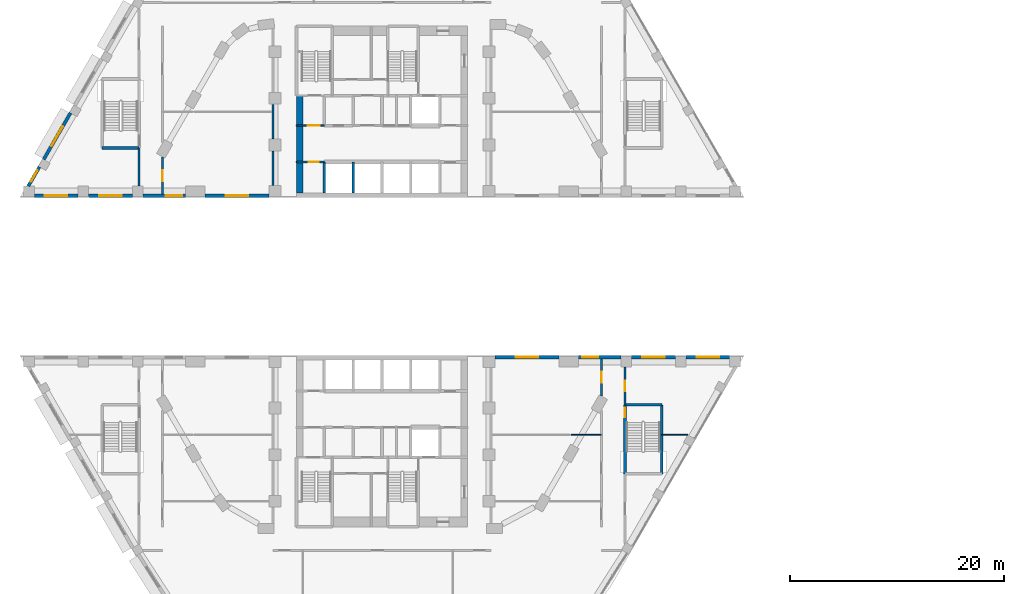
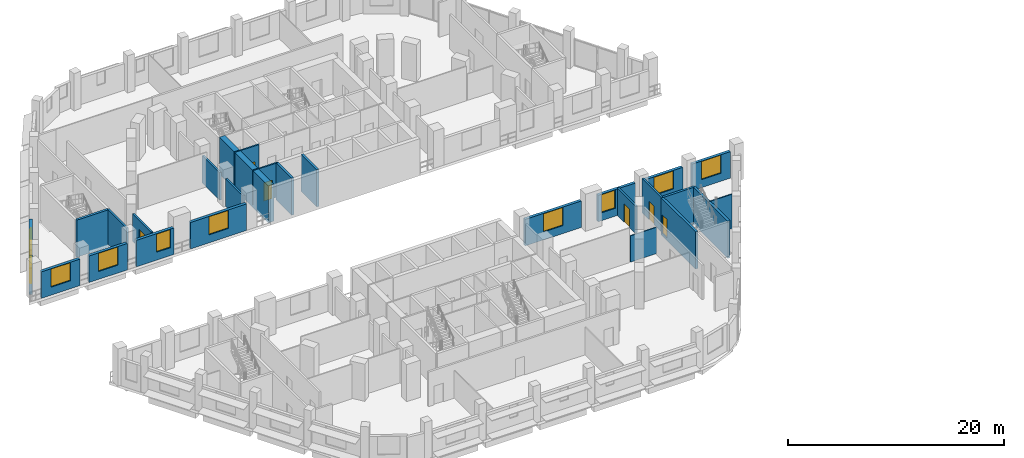
# One storey, part 19 of 33: 27 walls, 10 windows, 6 doors, 16 openings.
"""IFC4 building model written with IfcOpenShell, lengths in metres."""

from ifc_helpers import new_model, si_unit, direction, frame, frame_2d, origin, place, context, subcontext, project, spatial, rectangle, extrude, material, layer, layer_set, type_object, element, fill, save


model = new_model("IFC4")

# Units and contexts
model_context = context("Model", 3, precision=1e-05, world=origin(), true_north=direction((0.0, 1.0)))
body_context = subcontext(model_context, "Body", "Model", "MODEL_VIEW")
ifc_project = project(units=[si_unit("LENGTHUNIT", "METRE"), si_unit("AREAUNIT", "SQUARE_METRE"), si_unit("VOLUMEUNIT", "CUBIC_METRE"), si_unit("PLANEANGLEUNIT", "RADIAN"), si_unit("MASSUNIT", "GRAM", prefix="KILO")], contexts=[model_context])

# Site, building, storey
site_placement = place(None, origin())
site = spatial("IfcSite", under=ifc_project, at=site_placement, CompositionType="ELEMENT")
building_placement = place(site_placement, origin())
building = spatial("IfcBuilding", under=site, at=building_placement, Name="Nakaniwa Court", CompositionType="ELEMENT")
storey_placement = place(building_placement, frame((0.0, 0.0, 19.800048828125)))
storey = spatial("IfcBuildingStorey", under=building, at=storey_placement, Name="L04", CompositionType="ELEMENT", Elevation=19.800048828125)

# Wall, opening, door
ifc_material_1 = material(Name="Acoustic double stud partition")
ifc_layer_1 = layer(ifc_material_1, 0.199951171875)
ifc_layer_set_1 = layer_set([ifc_layer_1], Name="Acoustic double stud partition")
wall_type_1 = type_object("IfcWallType", Name="Acoustic double stud partition 200", PredefinedType="PARTITIONING", material=ifc_layer_set_1)
wall_1_placement = place(storey_placement, frame((102.699951171875, 71.532958984375, 0.0), z_axis=(0.0, 0.0, 1.0), x_axis=(0.0, -1.0, 0.0)))
wall_1 = element("IfcWall", 1, at=wall_1_placement, inside=storey, type_object=wall_type_1, Name="Partition PW-080", PredefinedType="PARTITIONING", context=body_context, shape_type="SweptSolid", body=[
    extrude(rectangle(XDim=3.535888671875, YDim=0.199951171875, at=frame_2d((1.76806640625, 0.0))), origin(), (0.0, 0.0, 1.0), 3.89990234375),
])
opening_1_placement = place(wall_1_placement, frame((1.26806640625, 0.0, 0.0)))
opening_1 = element("IfcOpeningElement", 2, at=opening_1_placement, cuts=wall_1, Name="Opening D-02-09", PredefinedType="OPENING", context=body_context, shape_type="SweptSolid", body=[
    extrude(rectangle(XDim=1.0, YDim=2.10009765625, at=frame_2d((0.5, 1.050048828125))), frame((0.0, 0.10986328125, 0.0), z_axis=(0.0, -1.0, 0.0), x_axis=(1.0, 0.0, 0.0)), (0.0, 0.0, 1.0), 0.219970703125),
])
ifc_material_2 = material(Name="Solid core timber door set, black veneer", Category="wood")
door_type_1 = type_object("IfcDoorType", Name="Internal door 1000", OperationType="NOTDEFINED", PredefinedType="DOOR", material=ifc_material_2)
door_1_placement = place(opening_1_placement, origin())
door_1 = element("IfcDoor", 3, at=door_1_placement, inside=storey, type_object=door_type_1, Name="Door D-02-09 L04-040", OperationType="SINGLE_SWING_LEFT", OverallHeight=2.10009765625, OverallWidth=1.0, PredefinedType="DOOR", context=body_context, shape_type="SweptSolid", body=[
    extrude(rectangle(XDim=1.0, YDim=2.10009765625, at=frame_2d((0.5, 1.050048828125))), frame((0.0, 0.02490234375, 0.0), z_axis=(0.0, -1.0, 0.0), x_axis=(1.0, 0.0, 0.0)), (0.0, 0.0, 1.0), 0.050048828125),
])
fill(opening_1, door_1)

wall_2_placement = place(storey_placement, frame((100.5, 68.850830078125, 0.0), z_axis=(0.0, 0.0, 1.0), x_axis=(0.0, 1.0, 0.0)))
wall_2 = element("IfcWall", 4, at=wall_2_placement, inside=storey, type_object=wall_type_1, Name="Partition PW-084", PredefinedType="PARTITIONING", context=body_context, shape_type="SweptSolid", body=[
    extrude(rectangle(XDim=3.44921875, YDim=0.199951171875, at=frame_2d((1.724609375, 0.0))), origin(), (0.0, 0.0, 1.0), 3.1298828125),
])
opening_2_placement = place(wall_2_placement, frame((1.22607421875, 0.0, 0.0)))
opening_2 = element("IfcOpeningElement", 5, at=opening_2_placement, cuts=wall_2, Name="Opening D-02-13", PredefinedType="OPENING", context=body_context, shape_type="SweptSolid", body=[
    extrude(rectangle(XDim=1.0, YDim=2.10009765625, at=frame_2d((0.5, 1.050048828125))), frame((0.0, 0.10986328125, 0.0), z_axis=(0.0, -1.0, 0.0), x_axis=(1.0, 0.0, 0.0)), (0.0, 0.0, 1.0), 0.219970703125),
])
door_2_placement = place(opening_2_placement, origin())
door_2 = element("IfcDoor", 6, at=door_2_placement, inside=storey, type_object=door_type_1, Name="Door D-02-13 L04-044", OperationType="SINGLE_SWING_LEFT", OverallHeight=2.10009765625, OverallWidth=1.0, PredefinedType="DOOR", context=body_context, shape_type="SweptSolid", body=[
    extrude(rectangle(XDim=1.0, YDim=2.10009765625, at=frame_2d((0.5, 1.050048828125))), frame((0.0, 0.02490234375, 0.0), z_axis=(0.0, -1.0, 0.0), x_axis=(1.0, 0.0, 0.0)), (0.0, 0.0, 1.0), 0.050048828125),
])
fill(opening_2, door_2)

# Wall
wall_3_placement = place(storey_placement, frame((57.300048828125, 88.467041015625, 0.0), z_axis=(0.0, 0.0, 1.0), x_axis=(0.0, 1.0, 0.0)))
element("IfcWall", 7, at=wall_3_placement, inside=storey, type_object=wall_type_1, Name="Partition PW-094", PredefinedType="PARTITIONING", context=body_context, shape_type="SweptSolid", body=[
    extrude(rectangle(XDim=3.535888671875, YDim=0.199951171875, at=frame_2d((1.76806640625, 0.0))), origin(), (0.0, 0.0, 1.0), 3.89990234375),
])

# Wall, opening, door
wall_4_placement = place(storey_placement, frame((59.5, 91.149169921875, 0.0), z_axis=(0.0, 0.0, 1.0), x_axis=(0.0, -1.0, 0.0)))
wall_4 = element("IfcWall", 8, at=wall_4_placement, inside=storey, type_object=wall_type_1, Name="Partition PW-098", PredefinedType="PARTITIONING", context=body_context, shape_type="SweptSolid", body=[
    extrude(rectangle(XDim=3.44921875, YDim=0.199951171875, at=frame_2d((1.724609375, 0.0))), origin(), (0.0, 0.0, 1.0), 3.1298828125),
])
opening_3_placement = place(wall_4_placement, frame((1.22607421875, 0.0, 0.0)))
opening_3 = element("IfcOpeningElement", 9, at=opening_3_placement, cuts=wall_4, Name="Opening D-02-04", PredefinedType="OPENING", context=body_context, shape_type="SweptSolid", body=[
    extrude(rectangle(XDim=1.0, YDim=2.10009765625, at=frame_2d((0.5, 1.050048828125))), frame((0.0, 0.10986328125, 0.0), z_axis=(0.0, -1.0, 0.0), x_axis=(1.0, 0.0, 0.0)), (0.0, 0.0, 1.0), 0.219970703125),
])
door_3_placement = place(opening_3_placement, origin())
door_3 = element("IfcDoor", 10, at=door_3_placement, inside=storey, type_object=door_type_1, Name="Door D-02-04 L04-033", OperationType="SINGLE_SWING_RIGHT", OverallHeight=2.10009765625, OverallWidth=1.0, PredefinedType="DOOR", context=body_context, shape_type="SweptSolid", body=[
    extrude(rectangle(XDim=1.0, YDim=2.10009765625, at=frame_2d((0.5, 1.050048828125))), frame((0.0, 0.02490234375, 0.0), z_axis=(0.0, -1.0, 0.0), x_axis=(1.0, 0.0, 0.0)), (0.0, 0.0, 1.0), 0.050048828125),
])
fill(opening_3, door_3)

# Walls
wall_5_placement = place(storey_placement, frame((69.800048828125, 88.51708984375, 0.0), z_axis=(0.0, 0.0, 1.0), x_axis=(0.0, 1.0, 0.0)))
element("IfcWall", 11, at=wall_5_placement, inside=storey, type_object=wall_type_1, Name="Partition PW-112", PredefinedType="PARTITIONING", context=body_context, shape_type="SweptSolid", body=[
    extrude(rectangle(XDim=3.2158203125, YDim=0.199951171875, at=frame_2d((1.60791015625, 0.0))), origin(), (0.0, 0.0, 1.0), 3.1298828125),
])
wall_6_placement = place(storey_placement, frame((69.800048828125, 92.866943359375, 0.0), z_axis=(0.0, 0.0, 1.0), x_axis=(0.0, 1.0, 0.0)))
element("IfcWall", 12, at=wall_6_placement, inside=storey, type_object=wall_type_1, Name="Partition PW-113", PredefinedType="PARTITIONING", context=body_context, shape_type="SweptSolid", body=[
    extrude(rectangle(XDim=3.216064453125, YDim=0.199951171875, at=frame_2d((1.60791015625, 0.0))), origin(), (0.0, 0.0, 1.0), 3.1298828125),
])

# Wall, opening, window
ifc_material_3 = material(Name="Charcoal ceramic cladding")
ifc_layer_2 = layer(ifc_material_3, 0.02, Name="Ceramic cladding")
ifc_material_4 = material(Name="Ventilated air cavity")
ifc_layer_3 = layer(ifc_material_4, 0.04, ventilated=True, Name="Ventilated cavity")
ifc_material_5 = material(Name="Mineral wool insulation")
ifc_layer_4 = layer(ifc_material_5, 0.1, Name="Insulation")
ifc_material_6 = material(Name="Cement bonded sheathing board")
ifc_layer_5 = layer(ifc_material_6, 0.012, Name="Sheathing")
ifc_material_7 = material(Name="Cold-formed galvanised stud frame with mineral wool infill")
ifc_layer_6 = layer(ifc_material_7, 0.1, Name="Stud frame")
ifc_material_8 = material(Name="Fire-rated gypsum plasterboard lining")
ifc_layer_7 = layer(ifc_material_8, 0.028, Name="Lining")
ifc_layer_set_2 = layer_set([ifc_layer_2, ifc_layer_3, ifc_layer_4, ifc_layer_5, ifc_layer_6, ifc_layer_7], Name="Charcoal ceramic faced external wall system")
wall_type_2 = type_object("IfcWallType", Name="Black ceramic faced external wall 300", PredefinedType="SOLIDWALL", material=ifc_layer_set_2)
wall_7_placement = place(storey_placement, frame((112.5, 72.449951171875, 0.0), z_axis=(0.0, 0.0, 1.0), x_axis=(-1.0, 0.0, 0.0)))
wall_7 = element("IfcWall", 13, at=wall_7_placement, inside=storey, type_object=wall_type_2, Name="L04 external wall 04", PredefinedType="SOLIDWALL", context=body_context, shape_type="SweptSolid", body=[
    extrude(rectangle(XDim=4.094970703125, YDim=0.300048828125, at=frame_2d((2.04736328125, 0.0))), origin(), (0.0, 0.0, 1.0), 3.0),
])
opening_4_placement = place(wall_7_placement, frame((0.99755859375, 0.0, 0.89990234375)))
opening_4 = element("IfcOpeningElement", 14, at=opening_4_placement, cuts=wall_7, Name="Opening W2.01", PredefinedType="OPENING", context=body_context, shape_type="SweptSolid", body=[
    extrude(rectangle(XDim=2.10009765625, YDim=2.050048828125, at=frame_2d((1.050048828125, 1.02490234375))), frame((0.0, 0.159912109375, 0.0), z_axis=(0.0, -1.0, 0.0), x_axis=(1.0, 0.0, 0.0)), (0.0, 0.0, 1.0), 0.320068359375),
])
ifc_material_9 = material(Name="Black anodised aluminium frame with dark low-E laminated double glazing", Category="aluminium")
window_type_1 = type_object("IfcWindowType", Name="Dark glass window 2100x2050 sill 900", PartitioningType="SINGLE_PANEL", PredefinedType="WINDOW", material=ifc_material_9)
window_1_placement = place(opening_4_placement, origin())
window_1 = element("IfcWindow", 15, at=window_1_placement, inside=storey, type_object=window_type_1, Name="L04 habitable room window 04-0", OverallHeight=2.050048828125, OverallWidth=2.10009765625, PartitioningType="SINGLE_PANEL", PredefinedType="WINDOW", context=body_context, shape_type="SweptSolid", body=[
    extrude(rectangle(XDim=2.10009765625, YDim=2.050048828125, at=frame_2d((1.050048828125, 1.02490234375))), frame((0.0, 0.030029296875, 0.0), z_axis=(0.0, -1.0, 0.0), x_axis=(1.0, 0.0, 0.0)), (0.0, 0.0, 1.0), 0.06005859375),
])
fill(opening_4, window_1)

wall_8_placement = place(storey_placement, frame((107.4130859375, 72.449951171875, 0.0), z_axis=(0.0, 0.0, 1.0), x_axis=(-1.0, 0.0, 0.0)))
wall_8 = element("IfcWall", 16, at=wall_8_placement, inside=storey, type_object=wall_type_2, Name="L04 external wall 05", PredefinedType="SOLIDWALL", context=body_context, shape_type="SweptSolid", body=[
    extrude(rectangle(XDim=4.093994140625, YDim=0.300048828125, at=frame_2d((2.046875, 0.0))), origin(), (0.0, 0.0, 1.0), 3.0),
])
opening_5_placement = place(wall_8_placement, frame((0.9970703125, 0.0, 0.89990234375)))
opening_5 = element("IfcOpeningElement", 17, at=opening_5_placement, cuts=wall_8, Name="Opening W2.02", PredefinedType="OPENING", context=body_context, shape_type="SweptSolid", body=[
    extrude(rectangle(XDim=2.10009765625, YDim=2.050048828125, at=frame_2d((1.050048828125, 1.02490234375))), frame((0.0, 0.159912109375, 0.0), z_axis=(0.0, -1.0, 0.0), x_axis=(1.0, 0.0, 0.0)), (0.0, 0.0, 1.0), 0.320068359375),
])
window_2_placement = place(opening_5_placement, origin())
window_2 = element("IfcWindow", 18, at=window_2_placement, inside=storey, type_object=window_type_1, Name="L04 habitable room window 05-0", OverallHeight=2.050048828125, OverallWidth=2.10009765625, PartitioningType="SINGLE_PANEL", PredefinedType="WINDOW", context=body_context, shape_type="SweptSolid", body=[
    extrude(rectangle(XDim=2.10009765625, YDim=2.050048828125, at=frame_2d((1.050048828125, 1.02490234375))), frame((0.0, 0.030029296875, 0.0), z_axis=(0.0, -1.0, 0.0), x_axis=(1.0, 0.0, 0.0)), (0.0, 0.0, 1.0), 0.06005859375),
])
fill(opening_5, window_2)

wall_9_placement = place(storey_placement, frame((102.326904296875, 72.449951171875, 0.0), z_axis=(0.0, 0.0, 1.0), x_axis=(-1.0, 0.0, 0.0)))
wall_9 = element("IfcWall", 19, at=wall_9_placement, inside=storey, type_object=wall_type_2, Name="L04 external wall 06", PredefinedType="SOLIDWALL", context=body_context, shape_type="SweptSolid", body=[
    extrude(rectangle(XDim=3.972900390625, YDim=0.300048828125, at=frame_2d((1.986328125, 0.0))), origin(), (0.0, 0.0, 1.0), 3.0),
])
opening_6_placement = place(wall_9_placement, frame((2.137939453125, 0.0, 0.89990234375)))
opening_6 = element("IfcOpeningElement", 20, at=opening_6_placement, cuts=wall_9, Name="Opening W4.03", PredefinedType="OPENING", context=body_context, shape_type="SweptSolid", body=[
    extrude(rectangle(XDim=1.5, YDim=2.050048828125, at=frame_2d((0.75, 1.02490234375))), frame((0.0, 0.159912109375, 0.0), z_axis=(0.0, -1.0, 0.0), x_axis=(1.0, 0.0, 0.0)), (0.0, 0.0, 1.0), 0.320068359375),
])
window_type_2 = type_object("IfcWindowType", Name="Dark glass window 1500x2050 sill 900", PartitioningType="SINGLE_PANEL", PredefinedType="WINDOW", material=ifc_material_9)
window_3_placement = place(opening_6_placement, origin())
window_3 = element("IfcWindow", 21, at=window_3_placement, inside=storey, type_object=window_type_2, Name="L04 habitable room window 06-1", OverallHeight=2.050048828125, OverallWidth=1.5, PartitioningType="SINGLE_PANEL", PredefinedType="WINDOW", context=body_context, shape_type="SweptSolid", body=[
    extrude(rectangle(XDim=1.5, YDim=2.050048828125, at=frame_2d((0.75, 1.02490234375))), frame((0.0, 0.030029296875, 0.0), z_axis=(0.0, -1.0, 0.0), x_axis=(1.0, 0.0, 0.0)), (0.0, 0.0, 1.0), 0.06005859375),
])
fill(opening_6, window_3)

wall_10_placement = place(storey_placement, frame((96.56201171875, 72.449951171875, 0.0), z_axis=(0.0, 0.0, 1.0), x_axis=(-1.0, 0.0, 0.0)))
wall_10 = element("IfcWall", 22, at=wall_10_placement, inside=storey, type_object=wall_type_2, Name="L04 external wall 07", PredefinedType="SOLIDWALL", context=body_context, shape_type="SweptSolid", body=[
    extrude(rectangle(XDim=6.01611328125, YDim=0.300048828125, at=frame_2d((3.008056640625, 0.0))), origin(), (0.0, 0.0, 1.0), 3.0),
])
opening_7_placement = place(wall_10_placement, frame((1.9580078125, 0.0, 0.89990234375)))
opening_7 = element("IfcOpeningElement", 23, at=opening_7_placement, cuts=wall_10, Name="Opening W2.04", PredefinedType="OPENING", context=body_context, shape_type="SweptSolid", body=[
    extrude(rectangle(XDim=2.10009765625, YDim=2.050048828125, at=frame_2d((1.050048828125, 1.02490234375))), frame((0.0, 0.159912109375, 0.0), z_axis=(0.0, -1.0, 0.0), x_axis=(1.0, 0.0, 0.0)), (0.0, 0.0, 1.0), 0.320068359375),
])
window_4_placement = place(opening_7_placement, origin())
window_4 = element("IfcWindow", 24, at=window_4_placement, inside=storey, type_object=window_type_1, Name="L04 habitable room window 07-0", OverallHeight=2.050048828125, OverallWidth=2.10009765625, PartitioningType="SINGLE_PANEL", PredefinedType="WINDOW", context=body_context, shape_type="SweptSolid", body=[
    extrude(rectangle(XDim=2.10009765625, YDim=2.050048828125, at=frame_2d((1.050048828125, 1.02490234375))), frame((0.0, 0.030029296875, 0.0), z_axis=(0.0, -1.0, 0.0), x_axis=(1.0, 0.0, 0.0)), (0.0, 0.0, 1.0), 0.06005859375),
])
fill(opening_7, window_4)

wall_11_placement = place(storey_placement, frame((50.891357421875, 95.2822265625, 0.0), z_axis=(0.0, 0.0, 1.0), x_axis=(-0.500011252833, -0.866018906861, 0.0)))
wall_11 = element("IfcWall", 25, at=wall_11_placement, inside=storey, type_object=wall_type_2, Name="L04 external wall 29", PredefinedType="SOLIDWALL", context=body_context, shape_type="SweptSolid", body=[
    extrude(rectangle(XDim=5.02490234375, YDim=0.300048828125, at=frame_2d((2.512451171875, 0.0))), origin(), (0.0, 0.0, 1.0), 3.0),
])
opening_8_placement = place(wall_11_placement, frame((1.46240234375, 0.0, 0.89990234375)))
opening_8 = element("IfcOpeningElement", 26, at=opening_8_placement, cuts=wall_11, Name="Opening W2.23", PredefinedType="OPENING", context=body_context, shape_type="SweptSolid", body=[
    extrude(rectangle(XDim=2.10009765625, YDim=2.050048828125, at=frame_2d((1.050048828125, 1.02490234375))), frame((0.0, 0.159912109375, 0.0), z_axis=(0.0, -1.0, 0.0), x_axis=(1.0, 0.0, 0.0)), (0.0, 0.0, 1.0), 0.320068359375),
])
window_5_placement = place(opening_8_placement, origin())
window_5 = element("IfcWindow", 27, at=window_5_placement, inside=storey, type_object=window_type_1, Name="L04 habitable room window 29-0", OverallHeight=2.050048828125, OverallWidth=2.10009765625, PartitioningType="SINGLE_PANEL", PredefinedType="WINDOW", context=body_context, shape_type="SweptSolid", body=[
    extrude(rectangle(XDim=2.10009765625, YDim=2.050048828125, at=frame_2d((1.050048828125, 1.02490234375))), frame((0.0, 0.030029296875, 0.0), z_axis=(0.0, -1.0, 0.0), x_axis=(1.0, 0.0, 0.0)), (0.0, 0.0, 1.0), 0.06005859375),
])
fill(opening_8, window_5)

wall_12_placement = place(storey_placement, frame((47.98291015625, 90.244873046875, 0.0), z_axis=(0.0, 0.0, 1.0), x_axis=(-0.500020978615, -0.866013291437, 0.0)))
wall_12 = element("IfcWall", 28, at=wall_12_placement, inside=storey, type_object=wall_type_2, Name="L04 external wall 30", PredefinedType="SOLIDWALL", context=body_context, shape_type="SweptSolid", body=[
    extrude(rectangle(XDim=2.07666015625, YDim=0.300048828125, at=frame_2d((1.038330078125, 0.0))), origin(), (0.0, 0.0, 1.0), 3.0),
])
opening_9_placement = place(wall_12_placement, frame((0.3876953125, 0.0, 0.89990234375)))
opening_9 = element("IfcOpeningElement", 29, at=opening_9_placement, cuts=wall_12, Name="Opening W1.24", PredefinedType="OPENING", context=body_context, shape_type="SweptSolid", body=[
    extrude(rectangle(XDim=1.199951171875, YDim=2.050048828125, at=frame_2d((0.60009765625, 1.02490234375))), frame((0.0, 0.159912109375, 0.0), z_axis=(0.0, -1.0, 0.0), x_axis=(1.0, 0.0, 0.0)), (0.0, 0.0, 1.0), 0.320068359375),
])
window_type_3 = type_object("IfcWindowType", Name="Dark glass window 1200x2050 sill 900", PartitioningType="SINGLE_PANEL", PredefinedType="WINDOW", material=ifc_material_9)
window_6_placement = place(opening_9_placement, origin())
window_6 = element("IfcWindow", 30, at=window_6_placement, inside=storey, type_object=window_type_3, Name="L04 habitable room window 30-0", OverallHeight=2.050048828125, OverallWidth=1.199951171875, PartitioningType="SINGLE_PANEL", PredefinedType="WINDOW", context=body_context, shape_type="SweptSolid", body=[
    extrude(rectangle(XDim=1.199951171875, YDim=2.050048828125, at=frame_2d((0.60009765625, 1.02490234375))), frame((0.0, 0.030029296875, 0.0), z_axis=(0.0, -1.0, 0.0), x_axis=(1.0, 0.0, 0.0)), (0.0, 0.0, 1.0), 0.06005859375),
])
fill(opening_9, window_6)

wall_13_placement = place(storey_placement, frame((47.5, 87.550048828125, 0.0), z_axis=(0.0, 0.0, 1.0), x_axis=(1.0, 0.0, 0.0)))
wall_13 = element("IfcWall", 31, at=wall_13_placement, inside=storey, type_object=wall_type_2, Name="L04 external wall 31", PredefinedType="SOLIDWALL", context=body_context, shape_type="SweptSolid", body=[
    extrude(rectangle(XDim=4.094970703125, YDim=0.300048828125, at=frame_2d((2.04736328125, 0.0))), origin(), (0.0, 0.0, 1.0), 3.0),
])
opening_10_placement = place(wall_13_placement, frame((0.99755859375, 0.0, 0.89990234375)))
opening_10 = element("IfcOpeningElement", 32, at=opening_10_placement, cuts=wall_13, Name="Opening W2.25", PredefinedType="OPENING", context=body_context, shape_type="SweptSolid", body=[
    extrude(rectangle(XDim=2.10009765625, YDim=2.050048828125, at=frame_2d((1.050048828125, 1.02490234375))), frame((0.0, 0.159912109375, 0.0), z_axis=(0.0, -1.0, 0.0), x_axis=(1.0, 0.0, 0.0)), (0.0, 0.0, 1.0), 0.320068359375),
])
window_7_placement = place(opening_10_placement, origin())
window_7 = element("IfcWindow", 33, at=window_7_placement, inside=storey, type_object=window_type_1, Name="L04 habitable room window 31-0", OverallHeight=2.050048828125, OverallWidth=2.10009765625, PartitioningType="SINGLE_PANEL", PredefinedType="WINDOW", context=body_context, shape_type="SweptSolid", body=[
    extrude(rectangle(XDim=2.10009765625, YDim=2.050048828125, at=frame_2d((1.050048828125, 1.02490234375))), frame((0.0, 0.030029296875, 0.0), z_axis=(0.0, -1.0, 0.0), x_axis=(1.0, 0.0, 0.0)), (0.0, 0.0, 1.0), 0.06005859375),
])
fill(opening_10, window_7)

wall_14_placement = place(storey_placement, frame((52.5869140625, 87.550048828125, 0.0), z_axis=(0.0, 0.0, 1.0), x_axis=(1.0, 0.0, 0.0)))
wall_14 = element("IfcWall", 34, at=wall_14_placement, inside=storey, type_object=wall_type_2, Name="L04 external wall 32", PredefinedType="SOLIDWALL", context=body_context, shape_type="SweptSolid", body=[
    extrude(rectangle(XDim=4.093994140625, YDim=0.300048828125, at=frame_2d((2.046875, 0.0))), origin(), (0.0, 0.0, 1.0), 3.0),
])
opening_11_placement = place(wall_14_placement, frame((0.9970703125, 0.0, 0.89990234375)))
opening_11 = element("IfcOpeningElement", 35, at=opening_11_placement, cuts=wall_14, Name="Opening W2.26", PredefinedType="OPENING", context=body_context, shape_type="SweptSolid", body=[
    extrude(rectangle(XDim=2.10009765625, YDim=2.050048828125, at=frame_2d((1.050048828125, 1.02490234375))), frame((0.0, 0.159912109375, 0.0), z_axis=(0.0, -1.0, 0.0), x_axis=(1.0, 0.0, 0.0)), (0.0, 0.0, 1.0), 0.320068359375),
])
window_8_placement = place(opening_11_placement, origin())
window_8 = element("IfcWindow", 36, at=window_8_placement, inside=storey, type_object=window_type_1, Name="L04 habitable room window 32-0", OverallHeight=2.050048828125, OverallWidth=2.10009765625, PartitioningType="SINGLE_PANEL", PredefinedType="WINDOW", context=body_context, shape_type="SweptSolid", body=[
    extrude(rectangle(XDim=2.10009765625, YDim=2.050048828125, at=frame_2d((1.050048828125, 1.02490234375))), frame((0.0, 0.030029296875, 0.0), z_axis=(0.0, -1.0, 0.0), x_axis=(1.0, 0.0, 0.0)), (0.0, 0.0, 1.0), 0.06005859375),
])
fill(opening_11, window_8)

wall_15_placement = place(storey_placement, frame((57.673095703125, 87.550048828125, 0.0), z_axis=(0.0, 0.0, 1.0), x_axis=(1.0, 0.0, 0.0)))
wall_15 = element("IfcWall", 37, at=wall_15_placement, inside=storey, type_object=wall_type_2, Name="L04 external wall 33", PredefinedType="SOLIDWALL", context=body_context, shape_type="SweptSolid", body=[
    extrude(rectangle(XDim=3.972900390625, YDim=0.300048828125, at=frame_2d((1.986328125, 0.0))), origin(), (0.0, 0.0, 1.0), 3.0),
])
opening_12_placement = place(wall_15_placement, frame((2.137939453125, 0.0, 0.89990234375)))
opening_12 = element("IfcOpeningElement", 38, at=opening_12_placement, cuts=wall_15, Name="Opening W4.27", PredefinedType="OPENING", context=body_context, shape_type="SweptSolid", body=[
    extrude(rectangle(XDim=1.5, YDim=2.050048828125, at=frame_2d((0.75, 1.02490234375))), frame((0.0, 0.159912109375, 0.0), z_axis=(0.0, -1.0, 0.0), x_axis=(1.0, 0.0, 0.0)), (0.0, 0.0, 1.0), 0.320068359375),
])
window_9_placement = place(opening_12_placement, origin())
window_9 = element("IfcWindow", 39, at=window_9_placement, inside=storey, type_object=window_type_2, Name="L04 habitable room window 33-1", OverallHeight=2.050048828125, OverallWidth=1.5, PartitioningType="SINGLE_PANEL", PredefinedType="WINDOW", context=body_context, shape_type="SweptSolid", body=[
    extrude(rectangle(XDim=1.5, YDim=2.050048828125, at=frame_2d((0.75, 1.02490234375))), frame((0.0, 0.030029296875, 0.0), z_axis=(0.0, -1.0, 0.0), x_axis=(1.0, 0.0, 0.0)), (0.0, 0.0, 1.0), 0.06005859375),
])
fill(opening_12, window_9)

wall_16_placement = place(storey_placement, frame((63.43798828125, 87.550048828125, 0.0), z_axis=(0.0, 0.0, 1.0), x_axis=(1.0, 0.0, 0.0)))
wall_16 = element("IfcWall", 40, at=wall_16_placement, inside=storey, type_object=wall_type_2, Name="L04 external wall 34", PredefinedType="SOLIDWALL", context=body_context, shape_type="SweptSolid", body=[
    extrude(rectangle(XDim=6.01611328125, YDim=0.300048828125, at=frame_2d((3.008056640625, 0.0))), origin(), (0.0, 0.0, 1.0), 3.0),
])
opening_13_placement = place(wall_16_placement, frame((1.9580078125, 0.0, 0.89990234375)))
opening_13 = element("IfcOpeningElement", 41, at=opening_13_placement, cuts=wall_16, Name="Opening W2.28", PredefinedType="OPENING", context=body_context, shape_type="SweptSolid", body=[
    extrude(rectangle(XDim=2.10009765625, YDim=2.050048828125, at=frame_2d((1.050048828125, 1.02490234375))), frame((0.0, 0.159912109375, 0.0), z_axis=(0.0, -1.0, 0.0), x_axis=(1.0, 0.0, 0.0)), (0.0, 0.0, 1.0), 0.320068359375),
])
window_10_placement = place(opening_13_placement, origin())
window_10 = element("IfcWindow", 42, at=window_10_placement, inside=storey, type_object=window_type_1, Name="L04 habitable room window 34-0", OverallHeight=2.050048828125, OverallWidth=2.10009765625, PartitioningType="SINGLE_PANEL", PredefinedType="WINDOW", context=body_context, shape_type="SweptSolid", body=[
    extrude(rectangle(XDim=2.10009765625, YDim=2.050048828125, at=frame_2d((1.050048828125, 1.02490234375))), frame((0.0, 0.030029296875, 0.0), z_axis=(0.0, -1.0, 0.0), x_axis=(1.0, 0.0, 0.0)), (0.0, 0.0, 1.0), 0.06005859375),
])
fill(opening_13, window_10)

# Wall, opening, door
ifc_material_10 = material(Name="Blockwork partition", Category="masonry")
ifc_layer_8 = layer(ifc_material_10, 0.14990234375)
ifc_layer_set_3 = layer_set([ifc_layer_8], Name="Blockwork partition")
wall_type_3 = type_object("IfcWallType", Name="Blockwork partition 150", PredefinedType="PARTITIONING", material=ifc_layer_set_3)
wall_17_placement = place(storey_placement, frame((74.60009765625, 90.699951171875, 0.0), z_axis=(0.0, 0.0, 1.0), x_axis=(-1.0, 0.0, 0.0)))
wall_17 = element("IfcWall", 43, at=wall_17_placement, inside=storey, type_object=wall_type_3, Name="Partition PW-003", PredefinedType="PARTITIONING", context=body_context, shape_type="SweptSolid", body=[
    extrude(rectangle(XDim=2.60009765625, YDim=0.14990234375, at=frame_2d((1.300048828125, 0.0))), origin(), (0.0, 0.0, 1.0), 3.89990234375),
])
opening_14_placement = place(wall_17_placement, frame((0.52490234375, 0.0, 0.0)))
opening_14 = element("IfcOpeningElement", 44, at=opening_14_placement, cuts=wall_17, Name="Opening D-05-01", PredefinedType="OPENING", context=body_context, shape_type="SweptSolid", body=[
    extrude(rectangle(XDim=0.89990234375, YDim=2.10009765625, at=frame_2d((0.449951171875, 1.050048828125))), frame((0.0, 0.0849609375, 0.0), z_axis=(0.0, -1.0, 0.0), x_axis=(1.0, 0.0, 0.0)), (0.0, 0.0, 1.0), 0.169921875),
])
ifc_material_11 = material(Name="Fire rated steel door set", Category="steel")
door_type_2 = type_object("IfcDoorType", Name="Service room door 900", OperationType="NOTDEFINED", PredefinedType="DOOR", material=ifc_material_11)
door_4_placement = place(opening_14_placement, origin())
door_4 = element("IfcDoor", 45, at=door_4_placement, inside=storey, type_object=door_type_2, Name="Door D-05-01 L04-001", OperationType="SINGLE_SWING_RIGHT", OverallHeight=2.10009765625, OverallWidth=0.89990234375, PredefinedType="DOOR", context=body_context, shape_type="SweptSolid", body=[
    extrude(rectangle(XDim=0.89990234375, YDim=2.10009765625, at=frame_2d((0.449951171875, 1.050048828125))), frame((0.0, 0.02490234375, 0.0), z_axis=(0.0, -1.0, 0.0), x_axis=(1.0, 0.0, 0.0)), (0.0, 0.0, 1.0), 0.050048828125),
])
fill(opening_14, door_4)

wall_18_placement = place(storey_placement, frame((72.0, 94.10009765625, 0.0), z_axis=(0.0, 0.0, 1.0), x_axis=(1.0, 0.0, 0.0)))
wall_18 = element("IfcWall", 46, at=wall_18_placement, inside=storey, type_object=wall_type_3, Name="Partition PW-016", PredefinedType="PARTITIONING", context=body_context, shape_type="SweptSolid", body=[
    extrude(rectangle(XDim=2.60302734375, YDim=0.14990234375, at=frame_2d((1.301513671875, 0.0))), origin(), (0.0, 0.0, 1.0), 3.89990234375),
])
opening_15_placement = place(wall_18_placement, frame((1.074951171875, 0.0, 0.0)))
opening_15 = element("IfcOpeningElement", 47, at=opening_15_placement, cuts=wall_18, Name="Opening D-08-01", PredefinedType="OPENING", context=body_context, shape_type="SweptSolid", body=[
    extrude(rectangle(XDim=1.10009765625, YDim=2.10009765625, at=frame_2d((0.550048828125, 1.050048828125))), frame((0.0, 0.0849609375, 0.0), z_axis=(0.0, -1.0, 0.0), x_axis=(1.0, 0.0, 0.0)), (0.0, 0.0, 1.0), 0.169921875),
])
door_type_3 = type_object("IfcDoorType", Name="Stair lobby door 1100", OperationType="NOTDEFINED", PredefinedType="DOOR", material=ifc_material_11)
door_5_placement = place(opening_15_placement, origin())
door_5 = element("IfcDoor", 48, at=door_5_placement, inside=storey, type_object=door_type_3, Name="Door D-08-01 L04-003", OperationType="SINGLE_SWING_RIGHT", OverallHeight=2.10009765625, OverallWidth=1.10009765625, PredefinedType="DOOR", context=body_context, shape_type="SweptSolid", body=[
    extrude(rectangle(XDim=1.10009765625, YDim=2.10009765625, at=frame_2d((0.550048828125, 1.050048828125))), frame((0.0, 0.02490234375, 0.0), z_axis=(0.0, -1.0, 0.0), x_axis=(1.0, 0.0, 0.0)), (0.0, 0.0, 1.0), 0.050048828125),
])
fill(opening_15, door_5)

# Wall
ifc_material_12 = material(Name="Concrete C100/115", Category="concrete")
ifc_layer_9 = layer(ifc_material_12, 0.60009765625)
ifc_layer_set_4 = layer_set([ifc_layer_9], Name="Concrete C100/115")
wall_type_4 = type_object("IfcWallType", Name="Concrete core side wall 600 C100", PredefinedType="SHEAR", material=ifc_layer_set_4)
wall_19_placement = place(storey_placement, frame((72.300048828125, 87.800048828125, -0.300048828125), z_axis=(0.0, 0.0, 1.0), x_axis=(0.0, 1.0, 0.0)))
element("IfcWall", 49, at=wall_19_placement, inside=storey, type_object=wall_type_4, Name="Core wall SW-04", PredefinedType="SHEAR", context=body_context, shape_type="SweptSolid", body=[
    extrude(rectangle(XDim=9.099853515625, YDim=0.60009765625, at=frame_2d((4.5498046875, 0.0))), origin(), (0.0, 0.0, 1.0), 4.199951171875),
])

# Wall, opening, door
ifc_layer_10 = layer(ifc_material_12, 0.25)
ifc_layer_set_5 = layer_set([ifc_layer_10], Name="Concrete C100/115")
wall_type_5 = type_object("IfcWallType", Name="Concrete core wall 250 C100", PredefinedType="SHEAR", material=ifc_layer_set_5)
wall_20_placement = place(storey_placement, frame((102.699951171875, 61.547119140625, -0.300048828125), z_axis=(0.0, 0.0, 1.0), x_axis=(0.0, 1.0, 0.0)))
wall_20 = element("IfcWall", 50, at=wall_20_placement, inside=storey, type_object=wall_type_5, Name="Core wall SW-77", PredefinedType="SHEAR", context=body_context, shape_type="SweptSolid", body=[
    extrude(rectangle(XDim=6.455810546875, YDim=0.25, at=frame_2d((3.22802734375, 0.0))), origin(), (0.0, 0.0, 1.0), 4.199951171875),
])
opening_16_placement = place(wall_20_placement, frame((5.305908203125, 0.0, 0.300048828125)))
opening_16 = element("IfcOpeningElement", 51, at=opening_16_placement, cuts=wall_20, Name="Opening D-11-05", PredefinedType="OPENING", context=body_context, shape_type="SweptSolid", body=[
    extrude(rectangle(XDim=0.89990234375, YDim=2.10009765625, at=frame_2d((0.449951171875, 1.050048828125))), frame((0.0, 0.135009765625, 0.0), z_axis=(0.0, -1.0, 0.0), x_axis=(1.0, 0.0, 0.0)), (0.0, 0.0, 1.0), 0.27001953125),
])
door_type_4 = type_object("IfcDoorType", Name="Stair door 900", OperationType="NOTDEFINED", PredefinedType="DOOR", material=ifc_material_11)
door_6_placement = place(opening_16_placement, origin())
door_6 = element("IfcDoor", 52, at=door_6_placement, inside=storey, type_object=door_type_4, Name="Door D-11-05 L04-038", OperationType="SINGLE_SWING_RIGHT", OverallHeight=2.10009765625, OverallWidth=0.89990234375, PredefinedType="DOOR", context=body_context, shape_type="SweptSolid", body=[
    extrude(rectangle(XDim=0.89990234375, YDim=2.10009765625, at=frame_2d((0.449951171875, 1.050048828125))), frame((0.0, 0.02490234375, 0.0), z_axis=(0.0, -1.0, 0.0), x_axis=(1.0, 0.0, 0.0)), (0.0, 0.0, 1.0), 0.050048828125),
])
fill(opening_16, door_6)

# Walls
wall_21_placement = place(storey_placement, frame((106.14990234375, 61.550048828125, -0.300048828125), z_axis=(0.0, 0.0, 1.0), x_axis=(0.0, 1.0, 0.0)))
element("IfcWall", 53, at=wall_21_placement, inside=storey, type_object=wall_type_5, Name="Core wall SW-116", PredefinedType="SHEAR", context=body_context, shape_type="SweptSolid", body=[
    extrude(rectangle(XDim=6.449951171875, YDim=0.25, at=frame_2d((3.22509765625, 0.0))), origin(), (0.0, 0.0, 1.0), 4.199951171875),
])
for number, where, z_axis, x_axis, name in (
    (54, (53.85009765625, 92.0, -0.300048828125), (0.0, 0.0, 1.0), (1.0, 0.0, 0.0), "Core wall SW-120"),
    (55, (102.699951171875, 68.0, -0.300048828125), (0.0, 0.0, 1.0), (1.0, 0.0, 0.0), "Core wall SW-134"),
):
    element("IfcWall", number, at=place(storey_placement, frame(where, z_axis=z_axis, x_axis=x_axis)), inside=storey, type_object=wall_type_5, Name=name, PredefinedType="SHEAR", context=body_context, shape_type="SweptSolid", body=[
        extrude(rectangle(XDim=3.449951171875, YDim=0.25, at=frame_2d((1.72509765625, 0.0))), origin(), (0.0, 0.0, 1.0), 4.199951171875),
    ])
ifc_layer_11 = layer(ifc_material_12, 0.25)
ifc_layer_set_6 = layer_set([ifc_layer_11], Name="Concrete C100/115")
wall_type_6 = type_object("IfcWallType", Name="Concrete shaft wall 250 C100", PredefinedType="SHEAR", material=ifc_layer_set_6)
for number, where, z_axis, x_axis, name in (
    (56, (74.60009765625, 87.800048828125, -0.300048828125), (0.0, 0.0, 1.0), (0.0, 1.0, 0.0), "Core wall SW-01"),
    (57, (77.300048828125, 87.800048828125, -0.300048828125), (0.0, 0.0, 1.0), (0.0, 1.0, 0.0), "Core wall SW-05"),
):
    element("IfcWall", number, at=place(storey_placement, frame(where, z_axis=z_axis, x_axis=x_axis)), inside=storey, type_object=wall_type_6, Name=name, PredefinedType="SHEAR", context=body_context, shape_type="SweptSolid", body=[
        extrude(rectangle(XDim=2.89990234375, YDim=0.25, at=frame_2d((1.449951171875, 0.0))), origin(), (0.0, 0.0, 1.0), 4.199951171875),
    ])
ifc_material_13 = material(Name="Single stud plasterboard partition")
ifc_layer_12 = layer(ifc_material_13, 0.10009765625)
ifc_layer_set_7 = layer_set([ifc_layer_12], Name="Single stud plasterboard partition")
wall_type_7 = type_object("IfcWallType", Name="Single stud plasterboard partition 100", PredefinedType="PARTITIONING", material=ifc_layer_set_7)
wall_22_placement = place(storey_placement, frame((97.680419921875, 65.199951171875, 0.0), z_axis=(0.0, 0.0, 1.0), x_axis=(1.0, 0.0, 0.0)))
element("IfcWall", 58, at=wall_22_placement, inside=storey, type_object=wall_type_7, Name="Partition PW-141", PredefinedType="PARTITIONING", context=body_context, shape_type="SweptSolid", body=[
    extrude(rectangle(XDim=2.819580078125, YDim=0.10009765625, at=frame_2d((1.40966796875, 0.0))), origin(), (0.0, 0.0, 1.0), 2.97998046875),
])
wall_23_placement = place(storey_placement, frame((106.14990234375, 65.199951171875, 0.0), z_axis=(0.0, 0.0, 1.0), x_axis=(1.0, 0.0, 0.0)))
element("IfcWall", 59, at=wall_23_placement, inside=storey, type_object=wall_type_7, Name="Partition PW-142", PredefinedType="PARTITIONING", context=body_context, shape_type="SweptSolid", body=[
    extrude(rectangle(XDim=2.40576171875, YDim=0.10009765625, at=frame_2d((1.202880859375, 0.0))), origin(), (0.0, 0.0, 1.0), 3.89990234375),
])

save(model, "model.ifc")
